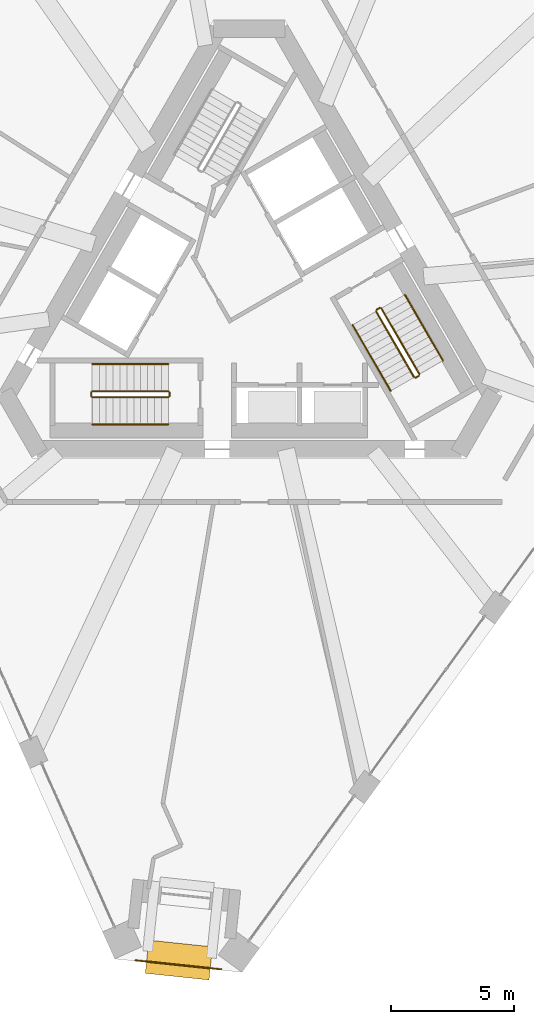
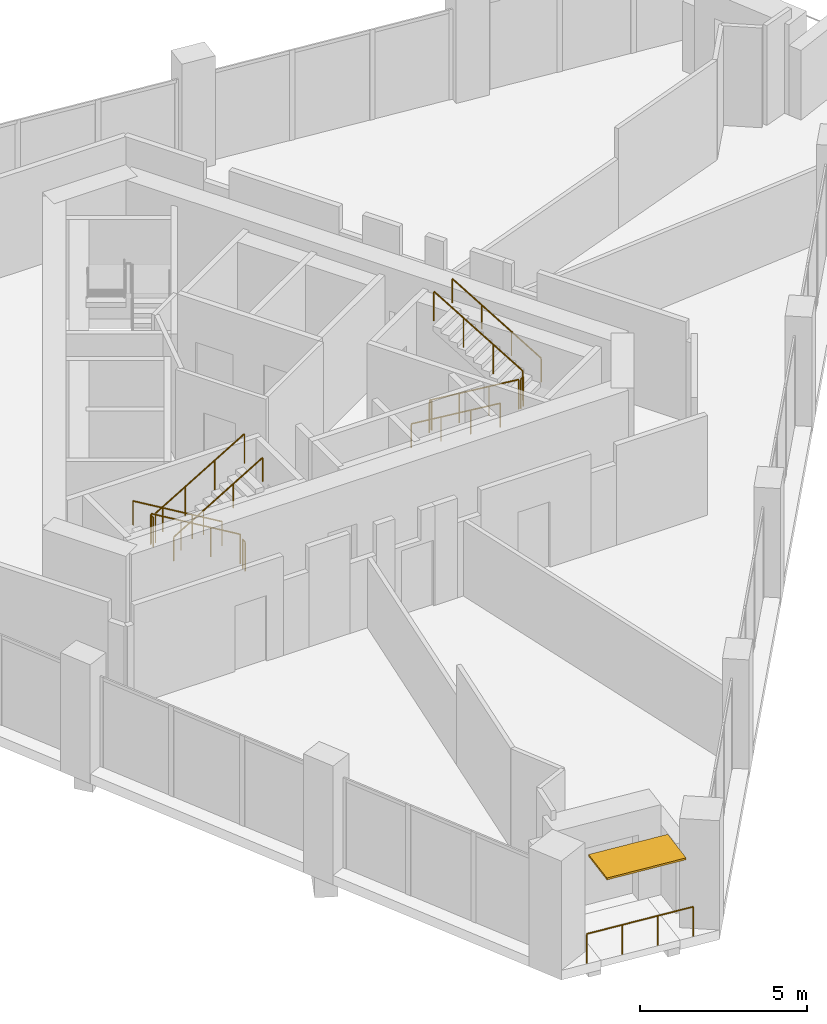
# One storey, part 12 of 15: 13 railings, 1 shading device.
"""IFC4 building model written with IfcOpenShell, lengths in metres."""

import ifcopenshell
import ifcopenshell.guid

model = None  # the IFC model being written
_history = None  # IfcOwnerHistory: only IFC2X3 demands one
_inside = {}  # id of a spatial element -> (the spatial element, [elements in it])
_under = {}  # id of a project, library or spatial element -> (it, [spatial elements below it])
_declared = {}  # id of a project -> (the project, [libraries it declares])
_typed = {}  # id of a type object -> (the type object, [elements of that type])
_made_of = {}  # id of a material, layer set ... -> (it, [elements and type objects made of it])


def new_model(schema):
    """Start an empty IFC model of exactly this schema.

    Asked for "IFC4X3", IfcOpenShell would pick the latest addendum, in which some entities
    have other attributes; the version numbers below select the first issue.
    IFC2X3 requires an IfcOwnerHistory on every rooted entity: one is made here for all.
    """
    global model, _history
    if schema == "IFC4X3":
        model = ifcopenshell.file(schema_version=(4, 3, 0, 0))
    else:
        model = ifcopenshell.file(schema=schema)
    _inside.clear()
    _under.clear()
    _declared.clear()
    _typed.clear()
    _made_of.clear()
    _history = None
    if model.schema == "IFC2X3":
        org = make("IfcOrganization", Name="unknown")
        user = make(
            "IfcPersonAndOrganization",
            ThePerson=make("IfcPerson", FamilyName="unknown"),
            TheOrganization=org,
        )
        app = make(
            "IfcApplication",
            ApplicationDeveloper=org,
            Version="unknown",
            ApplicationFullName="unknown",
            ApplicationIdentifier="unknown",
        )
        _history = make(
            "IfcOwnerHistory",
            OwningUser=user,
            OwningApplication=app,
            ChangeAction="ADDED",
            CreationDate=0,
        )
    return model


def make(cls, **values):
    """One entity of the class cls with the attributes given. An attribute that is None is left unset."""
    return model.create_entity(
        cls, **{name: value for name, value in values.items() if value is not None}
    )


def rooted(cls, **values):
    """An entity with a GlobalId (a new one), such as an element, a storey or a relation."""
    return make(cls, GlobalId=ifcopenshell.guid.new(), OwnerHistory=_history, **values)


def si_unit(unit_type, name, prefix=None):
    """IfcSIUnit, for example si_unit("LENGTHUNIT", "METRE", prefix="MILLI")."""
    return make("IfcSIUnit", UnitType=unit_type, Prefix=prefix, Name=name)


def assignment(units):
    """IfcUnitAssignment: the units of a project."""
    return None if units is None else make("IfcUnitAssignment", Units=units)


def point(xyz):
    """IfcCartesianPoint."""
    return None if xyz is None else make("IfcCartesianPoint", Coordinates=xyz)


def direction(xyz):
    """IfcDirection."""
    return None if xyz is None else make("IfcDirection", DirectionRatios=xyz)


def frame(location, z_axis=None, x_axis=None):
    """IfcAxis2Placement3D, a coordinate frame: its origin and axes. An axis left out is left unset."""
    return make(
        "IfcAxis2Placement3D",
        Location=point(location),
        Axis=direction(z_axis),
        RefDirection=direction(x_axis),
    )


def frame_2d(location, x_axis=None):
    """IfcAxis2Placement2D, a coordinate frame in the plane: its origin and x axis."""
    return make(
        "IfcAxis2Placement2D", Location=point(location), RefDirection=direction(x_axis)
    )


def origin():
    """The frame at (0, 0, 0) with its axes left unset."""
    return frame((0.0, 0.0, 0.0))


def origin_2d():
    """The frame at (0, 0) in the plane with its x axis left unset."""
    return frame_2d((0.0, 0.0))


def place(relative_to, where):
    """IfcLocalPlacement: puts the frame where relative to a parent placement (None: the world)."""
    return make(
        "IfcLocalPlacement", PlacementRelTo=relative_to, RelativePlacement=where
    )


def context(
    kind, dimensions, precision=None, world=None, true_north=None, identifier=None
):
    """IfcGeometricRepresentationContext, for example the 3D "Model" context."""
    return make(
        "IfcGeometricRepresentationContext",
        ContextIdentifier=identifier,
        ContextType=kind,
        CoordinateSpaceDimension=dimensions,
        Precision=precision,
        WorldCoordinateSystem=world,
        TrueNorth=true_north,
    )


def subcontext(parent, identifier, kind, view, scale=None):
    """IfcGeometricRepresentationSubContext, for example "Body" below "Model"."""
    return make(
        "IfcGeometricRepresentationSubContext",
        ContextIdentifier=identifier,
        ContextType=kind,
        ParentContext=parent,
        TargetScale=scale,
        TargetView=view,
    )


def project(units=None, contexts=None):
    """IfcProject with its units and contexts."""
    return rooted(
        "IfcProject",
        Name="project",
        RepresentationContexts=contexts,
        UnitsInContext=assignment(units),
    )


def spatial(cls, under=None, at=None, **own):
    """A site, building, storey or space (cls), placed at a placement, below another one or the project."""
    s = rooted(cls, ObjectPlacement=at, **own)
    if under is not None:
        _under.setdefault(under.id(), (under, []))[1].append(s)
    return s


def profile(cls, at=None, kind="AREA", **sizes):
    """A parametric profile (cls). Its sizes go by their IFC names, for example OverallWidth=200.0."""
    return make(cls, ProfileType=kind, Position=at, **sizes)


def rectangle(**sizes):
    """IfcRectangleProfileDef."""
    return profile("IfcRectangleProfileDef", **sizes)


def circle(**sizes):
    """IfcCircleProfileDef."""
    return profile("IfcCircleProfileDef", **sizes)


def extrude(swept, where, along, depth):
    """IfcExtrudedAreaSolid: the profile swept, set in the frame where, extruded along a direction by depth."""
    return make(
        "IfcExtrudedAreaSolid",
        SweptArea=swept,
        Position=where,
        ExtrudedDirection=direction(along),
        Depth=depth,
    )


def shape(context_of_items, identifier, shape_type, items):
    """IfcShapeRepresentation: the items that make up one representation, for example the "Body"."""
    return make(
        "IfcShapeRepresentation",
        ContextOfItems=context_of_items,
        RepresentationIdentifier=identifier,
        RepresentationType=shape_type,
        Items=items,
    )


def material(Name=None, Category=None):
    """IfcMaterial."""
    return make("IfcMaterial", Name=Name, Category=Category)


def layer(
    of_material, thickness, ventilated=None, Name=None, Category=None, Priority=None
):
    """IfcMaterialLayer: one layer of a wall or slab, of a material (None: an air gap)."""
    return make(
        "IfcMaterialLayer",
        Material=of_material,
        LayerThickness=thickness,
        IsVentilated=ventilated,
        Name=Name,
        Category=Category,
        Priority=Priority,
    )


def layer_set(layers, Name=None):
    """IfcMaterialLayerSet."""
    return make("IfcMaterialLayerSet", MaterialLayers=layers, LayerSetName=Name)


def made_of(thing, what):
    """Note that an element or type object is made of a material, layer set ...; save() writes the relation."""
    if what is not None:
        _made_of.setdefault(what.id(), (what, []))[1].append(thing)
    return thing


def type_object(cls, material=None, **own):
    """A type object (cls), such as IfcWallType, which elements share."""
    return made_of(rooted(cls, **own), material)


def element(
    cls,
    number,
    at=None,
    inside=None,
    cuts=None,
    type_object=None,
    material=None,
    context=None,
    identifier="Body",
    shape_type=None,
    held_by="IfcProductDefinitionShape",
    body=None,
    shapes=None,
    **own,
):
    """One element of the class cls, such as IfcWall. Its Tag is "e" and its number.

    at: its placement. inside: the storey or other place that contains it. cuts: it is an
    opening in that element (IfcRelVoidsElement). A single representation is given by context,
    identifier, shape_type and body (its items); several are given by shapes. held_by: the class
    of the entity that holds the representations. save() writes the other relations.
    """
    e = rooted(cls, Tag="e%d" % number, ObjectPlacement=at, **own)
    if body is not None:
        shapes = [shape(context, identifier, shape_type, body)]
    if shapes is not None:
        e.Representation = make(held_by, Representations=shapes)
    if inside is not None:
        _inside.setdefault(inside.id(), (inside, []))[1].append(e)
    if cuts is not None:
        rooted(
            "IfcRelVoidsElement", RelatingBuildingElement=cuts, RelatedOpeningElement=e
        )
    if type_object is not None:
        _typed.setdefault(type_object.id(), (type_object, []))[1].append(e)
    return made_of(e, material)


def aggregate(whole, parts):
    """IfcRelAggregates: a whole, such as a stair, and the parts it consists of."""
    return rooted("IfcRelAggregates", RelatingObject=whole, RelatedObjects=parts)


def save(model, path):
    """Write the relations noted so far, then the file.

    IfcRelAggregates (storeys below a building ...), IfcRelContainedInSpatialStructure (elements
    in a storey), IfcRelDefinesByType, IfcRelAssociatesMaterial and IfcRelDeclares: one each for
    every whole, place, type object, material and project.
    """
    for whole, parts in _under.values():
        aggregate(whole, parts)
    for where, things in _inside.values():
        rooted(
            "IfcRelContainedInSpatialStructure",
            RelatedElements=things,
            RelatingStructure=where,
        )
    for kind, things in _typed.values():
        rooted("IfcRelDefinesByType", RelatedObjects=things, RelatingType=kind)
    for what, things in _made_of.values():
        rooted("IfcRelAssociatesMaterial", RelatedObjects=things, RelatingMaterial=what)
    for by, libraries in _declared.values():
        rooted("IfcRelDeclares", RelatingContext=by, RelatedDefinitions=libraries)
    model.write(path)


model = new_model("IFC4")

# Units and contexts
model_context = context("Model", 3, precision=1e-05, world=origin(), true_north=direction((0.0, 1.0)))
body_context = subcontext(model_context, "Body", "Model", "MODEL_VIEW")
ifc_project = project(units=[si_unit("LENGTHUNIT", "METRE"), si_unit("AREAUNIT", "SQUARE_METRE"), si_unit("VOLUMEUNIT", "CUBIC_METRE"), si_unit("PLANEANGLEUNIT", "RADIAN"), si_unit("MASSUNIT", "GRAM", prefix="KILO")], contexts=[model_context])

# Site, building, storey
site_placement = place(None, origin())
site = spatial("IfcSite", under=ifc_project, at=site_placement, CompositionType="ELEMENT")
building_placement = place(site_placement, origin())
building = spatial("IfcBuilding", under=site, at=building_placement, Name="Tramontana Tower", CompositionType="ELEMENT")
storey_placement = place(building_placement, frame((0.0, 0.0, 237.199951171875)))
storey = spatial("IfcBuildingStorey", under=building, at=storey_placement, Name="L55", CompositionType="ELEMENT", Elevation=237.199951171875)

# Railing
ifc_material_1 = material(Name="Laminated glass balustrade", Category="glass")
railing_type_1 = type_object("IfcRailingType", Name="GD1 Loggia glass balustrade 1100", PredefinedType="BALUSTRADE", material=ifc_material_1)
railing_1_placement = place(storey_placement, frame((-1.131103515625, -27.50244140625, 0.0)))
element("IfcRailing", 1, at=railing_1_placement, inside=storey, type_object=railing_type_1, Name="Corner loggia balustrade L55 K61", PredefinedType="BALUSTRADE", context=body_context, shape_type="SweptSolid", body=[
    extrude(circle(Radius=0.02392578125, at=origin_2d()), frame((0.0, 0.0, 1.076171875), z_axis=(-0.994518059202, 0.104564955513, 0.0), x_axis=(-0.104564955513, -0.994518059202, 0.0)), (0.0, 0.0, 1.0), 3.5),
    extrude(circle(Radius=0.02099609375, at=origin_2d()), origin(), (0.0, 0.0, 1.0), 1.052001953125),
    extrude(circle(Radius=0.02099609375, at=origin_2d()), frame((-1.16015625, 0.1220703125, 0.0)), (0.0, 0.0, 1.0), 1.052001953125),
    extrude(circle(Radius=0.02099609375, at=origin_2d()), frame((-2.320556640625, 0.243896484375, 0.0)), (0.0, 0.0, 1.0), 1.052001953125),
    extrude(circle(Radius=0.02099609375, at=origin_2d()), frame((-3.480712890625, 0.365966796875, 0.0)), (0.0, 0.0, 1.0), 1.052001953125),
])

# Shading device
ifc_material_2 = material(Name="Precast concrete 60 MPa", Category="concrete")
ifc_layer = layer(ifc_material_2, 0.070068359375)
ifc_layer_set = layer_set([ifc_layer], Name="SS2 Stone sunshade blade 70")
shading_device_type = type_object("IfcShadingDeviceType", Name="SS2 Stone sunshade blade 70", PredefinedType="USERDEFINED", material=ifc_layer_set)
shading_device_placement = place(storey_placement, frame((-2.85107421875, -27.12548828125, 3.22998046875), z_axis=(0.0, 0.0, 1.0), x_axis=(-0.994521895368, 0.104528463268, 0.0)))
element("IfcShadingDevice", 2, at=shading_device_placement, inside=storey, type_object=shading_device_type, Name="Corner sunshade L55 K61", ObjectType="SUNSHADE", PredefinedType="USERDEFINED", context=body_context, shape_type="SweptSolid", body=[
    extrude(rectangle(XDim=2.60009765625, YDim=1.35009765625, at=origin_2d()), origin(), (0.0, 0.0, 1.0), 0.070068359375),
])

# Railings
ifc_material_3 = material(Name="Painted steel", Category="steel")
railing_type_2 = type_object("IfcRailingType", Name="STAIR GUARD 1100", PredefinedType="GUARDRAIL", material=ifc_material_3)
railing_2_placement = place(storey_placement, frame((-3.280029296875, -4.050048828125, 0.166748046875)))
element("IfcRailing", 3, at=railing_2_placement, inside=storey, type_object=railing_type_2, Name="L55 ST2 stair guard 1", PredefinedType="GUARDRAIL", context=body_context, shape_type="SweptSolid", body=[
    extrude(circle(Radius=0.02392578125, at=origin_2d()), frame((0.0, 0.0, 1.076171875), z_axis=(-0.859308565015, 0.0, 0.511457515432), x_axis=(0.0, -1.0, 0.0)), (0.0, 0.0, 1.0), 3.58447265625),
    extrude(circle(Radius=0.02099609375, at=origin_2d()), origin(), (0.0, 0.0, 1.0), 1.052001953125),
    extrude(circle(Radius=0.02099609375, at=origin_2d()), frame((-1.026611328125, 0.0, 0.611083984375)), (0.0, 0.0, 1.0), 1.052001953125),
    extrude(circle(Radius=0.02099609375, at=origin_2d()), frame((-2.053466796875, 0.0, 1.22216796875)), (0.0, 0.0, 1.0), 1.052001953125),
    extrude(circle(Radius=0.02099609375, at=origin_2d()), frame((-3.080078125, 0.0, 1.833251953125)), (0.0, 0.0, 1.0), 1.052001953125),
])
railing_3_placement = place(storey_placement, frame((-6.360107421875, -4.300048828125, 2.166748046875)))
element("IfcRailing", 4, at=railing_3_placement, inside=storey, type_object=railing_type_2, Name="L55 ST2 stair guard 2", PredefinedType="GUARDRAIL", context=body_context, shape_type="SweptSolid", body=[
    extrude(circle(Radius=0.02392578125, at=origin_2d()), frame((0.0, 0.0, 1.076171875), z_axis=(0.859308565015, 0.0, 0.511457515432), x_axis=(0.0, 1.0, 0.0)), (0.0, 0.0, 1.0), 3.58447265625),
    extrude(circle(Radius=0.02099609375, at=origin_2d()), origin(), (0.0, 0.0, 1.0), 1.052001953125),
    extrude(circle(Radius=0.02099609375, at=origin_2d()), frame((1.026611328125, 0.0, 0.611083984375)), (0.0, 0.0, 1.0), 1.052001953125),
    extrude(circle(Radius=0.02099609375, at=origin_2d()), frame((2.053466796875, 0.0, 1.22216796875)), (0.0, 0.0, 1.0), 1.052001953125),
    extrude(circle(Radius=0.02099609375, at=origin_2d()), frame((3.080078125, 0.0, 1.833251953125)), (0.0, 0.0, 1.0), 1.052001953125),
])
for number, where, name in (
    (5, (-6.409912109375, -4.10009765625, 2.0), "L55 ST2 stair guard 3"),
    (6, (-3.22998046875, -4.10009765625, 0.0), "L55 ST2 stair guard 4"),
):
    element("IfcRailing", number, at=place(storey_placement, frame(where)), inside=storey, type_object=railing_type_2, Name=name, PredefinedType="GUARDRAIL", context=body_context, shape_type="SweptSolid", body=[
        extrude(circle(Radius=0.02392578125, at=origin_2d()), frame((0.0, 0.0, 1.076171875), z_axis=(0.0, -1.0, 0.0), x_axis=(1.0, 0.0, 0.0)), (0.0, 0.0, 1.0), 0.14990234375),
        extrude(circle(Radius=0.02099609375, at=origin_2d()), origin(), (0.0, 0.0, 1.0), 1.052001953125),
        extrude(circle(Radius=0.02099609375, at=origin_2d()), frame((0.0, -0.14990234375, 0.0)), (0.0, 0.0, 1.0), 1.052001953125),
    ])
railing_4_placement = place(storey_placement, frame((5.1474609375, -0.815673828125, 0.166748046875)))
element("IfcRailing", 7, at=railing_4_placement, inside=storey, type_object=railing_type_2, Name="L55 ST3 stair guard 1", PredefinedType="GUARDRAIL", context=body_context, shape_type="SweptSolid", body=[
    extrude(circle(Radius=0.02392578125, at=origin_2d()), frame((0.0, 0.0, 1.076171875), z_axis=(0.429671193721, -0.744159446956, 0.511477646425), x_axis=(0.866010015463, 0.500026652407, 0.0)), (0.0, 0.0, 1.0), 3.584228515625),
    extrude(circle(Radius=0.02099609375, at=origin_2d()), origin(), (0.0, 0.0, 1.0), 1.052001953125),
    extrude(circle(Radius=0.02099609375, at=origin_2d()), frame((0.513427734375, -0.88916015625, 0.611083984375)), (0.0, 0.0, 1.0), 1.052001953125),
    extrude(circle(Radius=0.02099609375, at=origin_2d()), frame((1.026611328125, -1.778076171875, 1.22216796875)), (0.0, 0.0, 1.0), 1.052001953125),
    extrude(circle(Radius=0.02099609375, at=origin_2d()), frame((1.5400390625, -2.667236328125, 1.833251953125)), (0.0, 0.0, 1.0), 1.052001953125),
])
railing_5_placement = place(storey_placement, frame((6.90380859375, -3.35791015625, 2.166748046875)))
element("IfcRailing", 8, at=railing_5_placement, inside=storey, type_object=railing_type_2, Name="L55 ST3 stair guard 2", PredefinedType="GUARDRAIL", context=body_context, shape_type="SweptSolid", body=[
    extrude(circle(Radius=0.02392578125, at=origin_2d()), frame((0.0, 0.0, 1.076171875), z_axis=(-0.429615651263, 0.74418122563, 0.511492615401), x_axis=(-0.866044340336, -0.499967199496, 0.0)), (0.0, 0.0, 1.0), 3.584228515625),
    extrude(circle(Radius=0.02099609375, at=origin_2d()), origin(), (0.0, 0.0, 1.0), 1.052001953125),
    extrude(circle(Radius=0.02099609375, at=origin_2d()), frame((-0.51318359375, 0.88916015625, 0.611083984375)), (0.0, 0.0, 1.0), 1.052001953125),
    extrude(circle(Radius=0.02099609375, at=origin_2d()), frame((-1.026611328125, 1.778076171875, 1.22216796875)), (0.0, 0.0, 1.0), 1.052001953125),
    extrude(circle(Radius=0.02099609375, at=origin_2d()), frame((-1.539794921875, 2.667236328125, 1.833251953125)), (0.0, 0.0, 1.0), 1.052001953125),
])
for number, where, name in (
    (9, (6.755615234375, -3.501220703125, 2.0), "L55 ST3 stair guard 3"),
    (10, (5.165771484375, -0.747314453125, 0.0), "L55 ST3 stair guard 4"),
):
    element("IfcRailing", number, at=place(storey_placement, frame(where)), inside=storey, type_object=railing_type_2, Name=name, PredefinedType="GUARDRAIL", context=body_context, shape_type="SweptSolid", body=[
        extrude(circle(Radius=0.02392578125, at=origin_2d()), frame((0.0, 0.0, 1.076171875), z_axis=(0.866131372301, 0.499816412211, 0.0), x_axis=(-0.499816412211, 0.866131372301, 0.0)), (0.0, 0.0, 1.0), 0.14990234375),
        extrude(circle(Radius=0.02099609375, at=origin_2d()), origin(), (0.0, 0.0, 1.0), 1.052001953125),
        extrude(circle(Radius=0.02099609375, at=origin_2d()), frame((0.1298828125, 0.074951171875, 0.0)), (0.0, 0.0, 1.0), 1.052001953125),
    ])
ifc_material_4 = material(Name="Painted steel", Category="steel")
railing_type_3 = type_object("IfcRailingType", Name="STAIR HANDRAIL 900", PredefinedType="HANDRAIL", material=ifc_material_4)
railing_6_placement = place(storey_placement, frame((-3.280029296875, -2.949951171875, 0.166748046875)))
element("IfcRailing", 11, at=railing_6_placement, inside=storey, type_object=railing_type_3, Name="L55 ST2 stair handrail 1", PredefinedType="HANDRAIL", context=body_context, shape_type="SweptSolid", body=[
    extrude(circle(Radius=0.02392578125, at=origin_2d()), frame((0.0, 0.0, 0.8759765625), z_axis=(-0.859308565015, 0.0, 0.511457515432), x_axis=(0.0, -1.0, 0.0)), (0.0, 0.0, 1.0), 3.58447265625),
    extrude(circle(Radius=0.02099609375, at=origin_2d()), origin(), (0.0, 0.0, 1.0), 0.851806640625),
    extrude(circle(Radius=0.02099609375, at=origin_2d()), frame((-1.026611328125, 0.0, 0.611083984375)), (0.0, 0.0, 1.0), 0.851806640625),
    extrude(circle(Radius=0.02099609375, at=origin_2d()), frame((-2.053466796875, 0.0, 1.22216796875)), (0.0, 0.0, 1.0), 0.851806640625),
    extrude(circle(Radius=0.02099609375, at=origin_2d()), frame((-3.080078125, 0.0, 1.833251953125)), (0.0, 0.0, 1.0), 0.851806640625),
])
railing_7_placement = place(storey_placement, frame((-6.360107421875, -5.39990234375, 2.166748046875)))
element("IfcRailing", 12, at=railing_7_placement, inside=storey, type_object=railing_type_3, Name="L55 ST2 stair handrail 2", PredefinedType="HANDRAIL", context=body_context, shape_type="SweptSolid", body=[
    extrude(circle(Radius=0.02392578125, at=origin_2d()), frame((0.0, 0.0, 0.8759765625), z_axis=(0.859308565015, 0.0, 0.511457515432), x_axis=(0.0, 1.0, 0.0)), (0.0, 0.0, 1.0), 3.58447265625),
    extrude(circle(Radius=0.02099609375, at=origin_2d()), origin(), (0.0, 0.0, 1.0), 0.851806640625),
    extrude(circle(Radius=0.02099609375, at=origin_2d()), frame((1.026611328125, 0.0, 0.611083984375)), (0.0, 0.0, 1.0), 0.851806640625),
    extrude(circle(Radius=0.02099609375, at=origin_2d()), frame((2.053466796875, 0.0, 1.22216796875)), (0.0, 0.0, 1.0), 0.851806640625),
    extrude(circle(Radius=0.02099609375, at=origin_2d()), frame((3.080078125, 0.0, 1.833251953125)), (0.0, 0.0, 1.0), 0.851806640625),
])
railing_8_placement = place(storey_placement, frame((4.19482421875, -1.365478515625, 0.166748046875)))
element("IfcRailing", 13, at=railing_8_placement, inside=storey, type_object=railing_type_3, Name="L55 ST3 stair handrail 1", PredefinedType="HANDRAIL", context=body_context, shape_type="SweptSolid", body=[
    extrude(circle(Radius=0.02392578125, at=origin_2d()), frame((0.0, 0.0, 0.8759765625), z_axis=(0.429649414936, -0.744189839504, 0.511451721109), x_axis=(0.866029832698, 0.499992328818, 0.0)), (0.0, 0.0, 1.0), 3.58447265625),
    extrude(circle(Radius=0.02099609375, at=origin_2d()), origin(), (0.0, 0.0, 1.0), 0.851806640625),
    extrude(circle(Radius=0.02099609375, at=origin_2d()), frame((0.513427734375, -0.88916015625, 0.611083984375)), (0.0, 0.0, 1.0), 0.851806640625),
    extrude(circle(Radius=0.02099609375, at=origin_2d()), frame((1.026611328125, -1.7783203125, 1.22216796875)), (0.0, 0.0, 1.0), 0.851806640625),
    extrude(circle(Radius=0.02099609375, at=origin_2d()), frame((1.5400390625, -2.66748046875, 1.833251953125)), (0.0, 0.0, 1.0), 0.851806640625),
])
railing_9_placement = place(storey_placement, frame((7.8564453125, -2.807861328125, 2.166748046875)))
element("IfcRailing", 14, at=railing_9_placement, inside=storey, type_object=railing_type_3, Name="L55 ST3 stair handrail 2", PredefinedType="HANDRAIL", context=body_context, shape_type="SweptSolid", body=[
    extrude(circle(Radius=0.02392578125, at=origin_2d()), frame((0.0, 0.0, 0.8759765625), z_axis=(-0.429615651263, 0.74418122563, 0.511492615401), x_axis=(-0.866044340336, -0.499967199496, 0.0)), (0.0, 0.0, 1.0), 3.584228515625),
    extrude(circle(Radius=0.02099609375, at=origin_2d()), origin(), (0.0, 0.0, 1.0), 0.851806640625),
    extrude(circle(Radius=0.02099609375, at=origin_2d()), frame((-0.51318359375, 0.88916015625, 0.611083984375)), (0.0, 0.0, 1.0), 0.851806640625),
    extrude(circle(Radius=0.02099609375, at=origin_2d()), frame((-1.026611328125, 1.778076171875, 1.22216796875)), (0.0, 0.0, 1.0), 0.851806640625),
    extrude(circle(Radius=0.02099609375, at=origin_2d()), frame((-1.539794921875, 2.667236328125, 1.833251953125)), (0.0, 0.0, 1.0), 0.851806640625),
])

save(model, "model.ifc")
